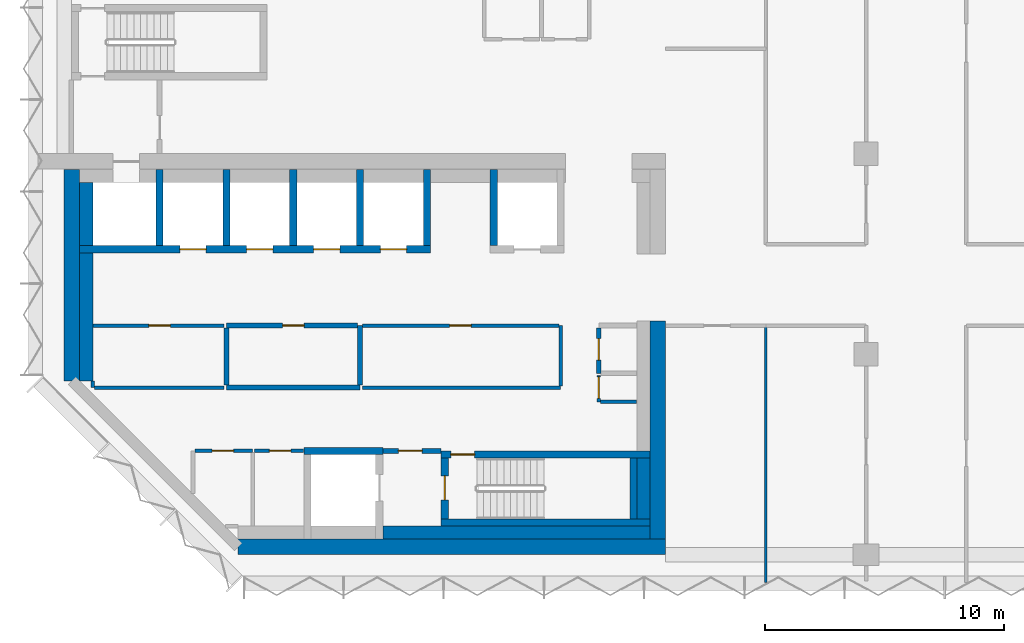
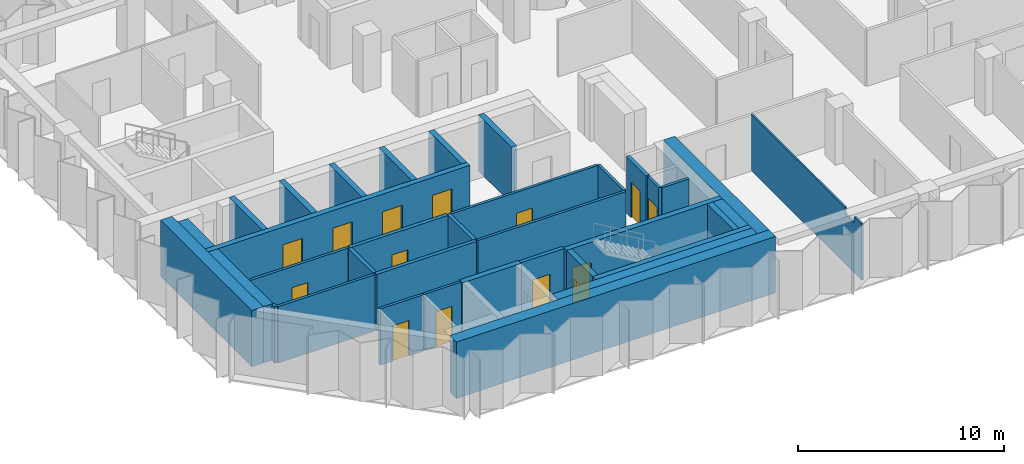
# One storey, part 5 of 10: 36 walls, 14 doors, 14 openings.
"""IFC4 building model written with IfcOpenShell, lengths in metres."""

from ifc_helpers import new_model, si_unit, direction, frame, frame_2d, origin, place, context, subcontext, project, spatial, polyline, rectangle, outline, extrude, material, layer, layer_set, type_object, element, fill, save


model = new_model("IFC4")

# Units and contexts
model_context = context("Model", 3, precision=1e-05, world=origin(), true_north=direction((0.0, 1.0)))
body_context = subcontext(model_context, "Body", "Model", "MODEL_VIEW")
ifc_project = project(units=[si_unit("LENGTHUNIT", "METRE"), si_unit("AREAUNIT", "SQUARE_METRE"), si_unit("VOLUMEUNIT", "CUBIC_METRE"), si_unit("PLANEANGLEUNIT", "RADIAN"), si_unit("MASSUNIT", "GRAM", prefix="KILO")], contexts=[model_context])

# Site, building, storey
site_placement = place(None, origin())
site = spatial("IfcSite", under=ifc_project, at=site_placement, CompositionType="ELEMENT")
building_placement = place(site_placement, origin())
building = spatial("IfcBuilding", under=site, at=building_placement, Name="Brevane Broadcast Tower", CompositionType="ELEMENT")
storey_placement = place(building_placement, frame((0.0, 0.0, 166.800048828125)))
storey = spatial("IfcBuildingStorey", under=building, at=storey_placement, Name="L41", CompositionType="ELEMENT", Elevation=166.800048828125)

# Walls
ifc_material_1 = material(Name="Concrete C32/40", Category="concrete")
ifc_layer_1 = layer(ifc_material_1, 0.550048828125)
ifc_layer_set_1 = layer_set([ifc_layer_1], Name="Core chase wall 550 mm")
wall_type_1 = type_object("IfcWallType", Name="Core chase wall 550 mm", PredefinedType="PARTITIONING", material=ifc_layer_set_1)
wall_1_placement = place(storey_placement, frame((0.925048828125, 7.286376953125, 0.0), z_axis=(0.0, 0.0, 1.0), x_axis=(0.0, 1.0, 0.0)))
element("IfcWall", 1, at=wall_1_placement, inside=storey, type_object=wall_type_1, Name="L41 chase wall LW-1", PredefinedType="PARTITIONING", context=body_context, shape_type="SweptSolid", body=[
    extrude(rectangle(XDim=5.363525390625, YDim=0.550048828125, at=frame_2d((2.681640625, 0.0))), origin(), (0.0, 0.0, 1.0), 3.349853515625),
])
wall_2_placement = place(storey_placement, frame((0.925048828125, 12.949951171875, 0.0), z_axis=(0.0, 0.0, 1.0), x_axis=(0.0, 1.0, 0.0)))
element("IfcWall", 2, at=wall_2_placement, inside=storey, type_object=wall_type_1, Name="L41 chase wall LW-2", PredefinedType="PARTITIONING", context=body_context, shape_type="SweptSolid", body=[
    extrude(rectangle(XDim=2.650146484375, YDim=0.550048828125, at=frame_2d((1.3251953125, 0.0))), origin(), (0.0, 0.0, 1.0), 3.349853515625),
])
wall_3_placement = place(storey_placement, frame((13.35009765625, 0.925048828125, 0.0), z_axis=(0.0, 0.0, 1.0), x_axis=(1.0, 0.0, 0.0)))
element("IfcWall", 3, at=wall_3_placement, inside=storey, type_object=wall_type_1, Name="L41 chase wall LS-2-2", PredefinedType="PARTITIONING", context=body_context, shape_type="SweptSolid", body=[
    extrude(rectangle(XDim=11.199951171875, YDim=0.550048828125, at=frame_2d((5.60009765625, 0.0))), origin(), (0.0, 0.0, 1.0), 3.349853515625),
])
wall_4_placement = place(storey_placement, frame((24.27490234375, 1.5, 0.0), z_axis=(0.0, 0.0, 1.0), x_axis=(0.0, 1.0, 0.0)))
element("IfcWall", 4, at=wall_4_placement, inside=storey, type_object=wall_type_1, Name="L41 chase wall LE1-2-1", PredefinedType="PARTITIONING", context=body_context, shape_type="SweptSolid", body=[
    extrude(rectangle(XDim=2.550048828125, YDim=0.550048828125, at=frame_2d((1.27490234375, 0.0))), origin(), (0.0, 0.0, 1.0), 3.349853515625),
])

# Wall, opening, door
ifc_material_2 = material(Name="Gypsum board on steel studs", Category="steel")
ifc_layer_2 = layer(ifc_material_2, 0.14990234375)
ifc_layer_set_2 = layer_set([ifc_layer_2], Name="Core fire partition 150 mm")
wall_type_2 = type_object("IfcWallType", Name="Core fire partition 150 mm", PredefinedType="PARTITIONING", material=ifc_layer_set_2)
wall_5_placement = place(storey_placement, frame((5.47509765625, 4.35009765625, 0.0), z_axis=(0.0, 0.0, 1.0), x_axis=(1.0, 0.0, 0.0)))
wall_5 = element("IfcWall", 5, at=wall_5_placement, inside=storey, type_object=wall_type_2, Name="L41 partition wall P12", PredefinedType="PARTITIONING", context=body_context, shape_type="SweptSolid", body=[
    extrude(rectangle(XDim=2.4248046875, YDim=0.14990234375, at=frame_2d((1.21240234375, 0.0))), origin(), (0.0, 0.0, 1.0), 3.349853515625),
])
opening_1_placement = place(wall_5_placement, frame((0.72509765625, 0.0, 0.0)))
opening_1 = element("IfcOpeningElement", 6, at=opening_1_placement, cuts=wall_5, Name="Opening L41-K14", PredefinedType="OPENING", context=body_context, shape_type="SweptSolid", body=[
    extrude(rectangle(XDim=0.89990234375, YDim=2.10009765625, at=frame_2d((0.449951171875, 1.050048828125))), frame((0.0, 0.0849609375, 0.0), z_axis=(0.0, -1.0, 0.0), x_axis=(1.0, 0.0, 0.0)), (0.0, 0.0, 1.0), 0.169921875),
])
ifc_material_3 = material(Name="Timber", Category="wood")
door_type_1 = type_object("IfcDoorType", Name="Toilet door 900 x 2100", OperationType="SINGLE_SWING_LEFT", PredefinedType="DOOR", material=ifc_material_3)
door_1_placement = place(opening_1_placement, origin())
door_1 = element("IfcDoor", 7, at=door_1_placement, inside=storey, type_object=door_type_1, Name="Door L41-K14", OperationType="SINGLE_SWING_RIGHT", OverallHeight=2.10009765625, OverallWidth=0.89990234375, PredefinedType="DOOR", context=body_context, shape_type="SweptSolid", body=[
    extrude(rectangle(XDim=0.89990234375, YDim=2.10009765625, at=frame_2d((0.449951171875, 1.050048828125))), frame((0.0, 0.02490234375, 0.0), z_axis=(0.0, -1.0, 0.0), x_axis=(1.0, 0.0, 0.0)), (0.0, 0.0, 1.0), 0.050048828125),
])
fill(opening_1, door_1)

wall_6_placement = place(storey_placement, frame((6.699951171875, 9.60009765625, 0.0), z_axis=(0.0, 0.0, 1.0), x_axis=(-1.0, 0.0, 0.0)))
wall_6 = element("IfcWall", 8, at=wall_6_placement, inside=storey, type_object=wall_type_2, Name="L41 partition wall P15", PredefinedType="PARTITIONING", context=body_context, shape_type="SweptSolid", body=[
    extrude(rectangle(XDim=5.488037109375, YDim=0.14990234375, at=frame_2d((2.744140625, 0.0))), origin(), (0.0, 0.0, 1.0), 3.349853515625),
])
opening_2_placement = place(wall_6_placement, frame((2.25, 0.0, 0.0)))
opening_2 = element("IfcOpeningElement", 9, at=opening_2_placement, cuts=wall_6, Name="Opening L41-K19", PredefinedType="OPENING", context=body_context, shape_type="SweptSolid", body=[
    extrude(rectangle(XDim=0.89990234375, YDim=2.10009765625, at=frame_2d((0.449951171875, 1.050048828125))), frame((0.0, 0.0849609375, 0.0), z_axis=(0.0, -1.0, 0.0), x_axis=(1.0, 0.0, 0.0)), (0.0, 0.0, 1.0), 0.169921875),
])
ifc_material_4 = material(Name="Steel", Category="steel")
door_type_2 = type_object("IfcDoorType", Name="Service room door 900 x 2100", OperationType="SINGLE_SWING_LEFT", PredefinedType="DOOR", material=ifc_material_4)
door_2_placement = place(opening_2_placement, origin())
door_2 = element("IfcDoor", 10, at=door_2_placement, inside=storey, type_object=door_type_2, Name="Door L41-K19", OperationType="SINGLE_SWING_LEFT", OverallHeight=2.10009765625, OverallWidth=0.89990234375, PredefinedType="DOOR", context=body_context, shape_type="SweptSolid", body=[
    extrude(rectangle(XDim=0.89990234375, YDim=2.10009765625, at=frame_2d((0.449951171875, 1.050048828125))), frame((0.0, 0.02490234375, 0.0), z_axis=(0.0, -1.0, 0.0), x_axis=(1.0, 0.0, 0.0)), (0.0, 0.0, 1.0), 0.050048828125),
])
fill(opening_2, door_2)

# Walls
wall_7_placement = place(storey_placement, frame((1.199951171875, 7.2744140625, 0.0), z_axis=(0.0, 0.0, 1.0), x_axis=(0.0, -1.0, 0.0)))
element("IfcWall", 11, at=wall_7_placement, inside=storey, type_object=wall_type_2, Name="L41 partition wall P16", PredefinedType="PARTITIONING", context=body_context, shape_type="SweptSolid", body=[
    extrude(rectangle(XDim=0.2744140625, YDim=0.14990234375, at=frame_2d((0.13720703125, 0.0))), origin(), (0.0, 0.0, 1.0), 3.349853515625),
])
wall_8_placement = place(storey_placement, frame((1.27490234375, 7.0, 0.0), z_axis=(0.0, 0.0, 1.0), x_axis=(1.0, 0.0, 0.0)))
element("IfcWall", 12, at=wall_8_placement, inside=storey, type_object=wall_type_2, Name="L41 partition wall P17", PredefinedType="PARTITIONING", context=body_context, shape_type="SweptSolid", body=[
    extrude(rectangle(XDim=5.425048828125, YDim=0.14990234375, at=frame_2d((2.71240234375, 0.0))), origin(), (0.0, 0.0, 1.0), 3.349853515625),
])

# Wall, opening, door
wall_9_placement = place(storey_placement, frame((10.0380859375, 4.35009765625, 0.0), z_axis=(0.0, 0.0, 1.0), x_axis=(-1.0, 0.0, 0.0)))
wall_9 = element("IfcWall", 13, at=wall_9_placement, inside=storey, type_object=wall_type_2, Name="L41 partition wall P18", PredefinedType="PARTITIONING", context=body_context, shape_type="SweptSolid", body=[
    extrude(rectangle(XDim=2.06298828125, YDim=0.14990234375, at=frame_2d((1.031494140625, 0.0))), origin(), (0.0, 0.0, 1.0), 3.349853515625),
])
opening_3_placement = place(wall_9_placement, frame((0.5380859375, 0.0, 0.0)))
opening_3 = element("IfcOpeningElement", 14, at=opening_3_placement, cuts=wall_9, Name="Opening L41-K15", PredefinedType="OPENING", context=body_context, shape_type="SweptSolid", body=[
    extrude(rectangle(XDim=0.89990234375, YDim=2.10009765625, at=frame_2d((0.449951171875, 1.050048828125))), frame((0.0, 0.0849609375, 0.0), z_axis=(0.0, -1.0, 0.0), x_axis=(1.0, 0.0, 0.0)), (0.0, 0.0, 1.0), 0.169921875),
])
door_3_placement = place(opening_3_placement, origin())
door_3 = element("IfcDoor", 15, at=door_3_placement, inside=storey, type_object=door_type_1, Name="Door L41-K15", OperationType="SINGLE_SWING_LEFT", OverallHeight=2.10009765625, OverallWidth=0.89990234375, PredefinedType="DOOR", context=body_context, shape_type="SweptSolid", body=[
    extrude(rectangle(XDim=0.89990234375, YDim=2.10009765625, at=frame_2d((0.449951171875, 1.050048828125))), frame((0.0, 0.02490234375, 0.0), z_axis=(0.0, -1.0, 0.0), x_axis=(1.0, 0.0, 0.0)), (0.0, 0.0, 1.0), 0.050048828125),
])
fill(opening_3, door_3)

# Walls
wall_10_placement = place(storey_placement, frame((12.5, 7.0, 0.0), z_axis=(0.0, 0.0, 1.0), x_axis=(1.0, 0.0, 0.0)))
element("IfcWall", 16, at=wall_10_placement, inside=storey, type_object=wall_type_2, Name="L41 partition wall P19", PredefinedType="PARTITIONING", context=body_context, shape_type="SweptSolid", body=[
    extrude(rectangle(XDim=8.300048828125, YDim=0.14990234375, at=frame_2d((4.14990234375, 0.0))), origin(), (0.0, 0.0, 1.0), 3.349853515625),
])
wall_11_placement = place(storey_placement, frame((20.800048828125, 7.074951171875, 0.0), z_axis=(0.0, 0.0, 1.0), x_axis=(0.0, 1.0, 0.0)))
element("IfcWall", 17, at=wall_11_placement, inside=storey, type_object=wall_type_2, Name="L41 partition wall P20", PredefinedType="PARTITIONING", context=body_context, shape_type="SweptSolid", body=[
    extrude(rectangle(XDim=2.525146484375, YDim=0.14990234375, at=frame_2d((1.2626953125, 0.0))), origin(), (0.0, 0.0, 1.0), 3.349853515625),
])

# Wall, opening, door
wall_12_placement = place(storey_placement, frame((20.72509765625, 9.60009765625, 0.0), z_axis=(0.0, 0.0, 1.0), x_axis=(-1.0, 0.0, 0.0)))
wall_12 = element("IfcWall", 18, at=wall_12_placement, inside=storey, type_object=wall_type_2, Name="L41 partition wall P21", PredefinedType="PARTITIONING", context=body_context, shape_type="SweptSolid", body=[
    extrude(rectangle(XDim=8.22509765625, YDim=0.14990234375, at=frame_2d((4.112548828125, 0.0))), origin(), (0.0, 0.0, 1.0), 3.349853515625),
])
opening_4_placement = place(wall_12_placement, frame((3.675048828125, 0.0, 0.0)))
opening_4 = element("IfcOpeningElement", 19, at=opening_4_placement, cuts=wall_12, Name="Opening L41-K21", PredefinedType="OPENING", context=body_context, shape_type="SweptSolid", body=[
    extrude(rectangle(XDim=0.89990234375, YDim=2.10009765625, at=frame_2d((0.449951171875, 1.050048828125))), frame((0.0, 0.0849609375, 0.0), z_axis=(0.0, -1.0, 0.0), x_axis=(1.0, 0.0, 0.0)), (0.0, 0.0, 1.0), 0.169921875),
])
door_4_placement = place(opening_4_placement, origin())
door_4 = element("IfcDoor", 20, at=door_4_placement, inside=storey, type_object=door_type_2, Name="Door L41-K21", OperationType="SINGLE_SWING_LEFT", OverallHeight=2.10009765625, OverallWidth=0.89990234375, PredefinedType="DOOR", context=body_context, shape_type="SweptSolid", body=[
    extrude(rectangle(XDim=0.89990234375, YDim=2.10009765625, at=frame_2d((0.449951171875, 1.050048828125))), frame((0.0, 0.02490234375, 0.0), z_axis=(0.0, -1.0, 0.0), x_axis=(1.0, 0.0, 0.0)), (0.0, 0.0, 1.0), 0.050048828125),
])
fill(opening_4, door_4)

wall_13_placement = place(storey_placement, frame((22.39990234375, 7.5, 0.0), z_axis=(0.0, 0.0, 1.0), x_axis=(0.0, -1.0, 0.0)))
wall_13 = element("IfcWall", 21, at=wall_13_placement, inside=storey, type_object=wall_type_2, Name="L41 partition wall P29", PredefinedType="PARTITIONING", context=body_context, shape_type="SweptSolid", body=[
    extrude(rectangle(XDim=1.10009765625, YDim=0.14990234375, at=frame_2d((0.550048828125, 0.0))), origin(), (0.0, 0.0, 1.0), 3.349853515625),
])
opening_5_placement = place(wall_13_placement, frame((0.050048828125, 0.0, 0.0)))
opening_5 = element("IfcOpeningElement", 22, at=opening_5_placement, cuts=wall_13, Name="Opening L41-K17", PredefinedType="OPENING", context=body_context, shape_type="SweptSolid", body=[
    extrude(rectangle(XDim=0.89990234375, YDim=2.10009765625, at=frame_2d((0.449951171875, 1.050048828125))), frame((0.0, 0.0849609375, 0.0), z_axis=(0.0, -1.0, 0.0), x_axis=(1.0, 0.0, 0.0)), (0.0, 0.0, 1.0), 0.169921875),
])
door_5_placement = place(opening_5_placement, origin())
door_5 = element("IfcDoor", 23, at=door_5_placement, inside=storey, type_object=door_type_2, Name="Door L41-K17", OperationType="SINGLE_SWING_LEFT", OverallHeight=2.10009765625, OverallWidth=0.89990234375, PredefinedType="DOOR", context=body_context, shape_type="SweptSolid", body=[
    extrude(rectangle(XDim=0.89990234375, YDim=2.10009765625, at=frame_2d((0.449951171875, 1.050048828125))), frame((0.0, 0.02490234375, 0.0), z_axis=(0.0, -1.0, 0.0), x_axis=(1.0, 0.0, 0.0)), (0.0, 0.0, 1.0), 0.050048828125),
])
fill(opening_5, door_5)

# Wall
wall_14_placement = place(storey_placement, frame((22.47509765625, 6.39990234375, 0.0), z_axis=(0.0, 0.0, 1.0), x_axis=(1.0, 0.0, 0.0)))
element("IfcWall", 24, at=wall_14_placement, inside=storey, type_object=wall_type_2, Name="L41 partition wall P30", PredefinedType="PARTITIONING", context=body_context, shape_type="SweptSolid", body=[
    extrude(rectangle(XDim=1.512939453125, YDim=0.14990234375, at=frame_2d((0.75634765625, 0.0))), origin(), (0.0, 0.0, 1.0), 3.349853515625),
])

# Wall, opening, door
ifc_layer_3 = layer(ifc_material_2, 0.199951171875)
ifc_layer_set_3 = layer_set([ifc_layer_3], Name="Core fire partition 200 mm")
wall_type_3 = type_object("IfcWallType", Name="Core fire partition 200 mm", PredefinedType="PARTITIONING", material=ifc_layer_set_3)
wall_15_placement = place(storey_placement, frame((13.362060546875, 4.35009765625, 0.0), z_axis=(0.0, 0.0, 1.0), x_axis=(1.0, 0.0, 0.0)))
wall_15 = element("IfcWall", 25, at=wall_15_placement, inside=storey, type_object=wall_type_3, Name="L41 partition wall P03", PredefinedType="PARTITIONING", context=body_context, shape_type="SweptSolid", body=[
    extrude(rectangle(XDim=2.426025390625, YDim=0.199951171875, at=frame_2d((1.212890625, 0.0))), origin(), (0.0, 0.0, 1.0), 3.349853515625),
])
opening_6_placement = place(wall_15_placement, frame((0.637939453125, 0.0, 0.0)))
opening_6 = element("IfcOpeningElement", 26, at=opening_6_placement, cuts=wall_15, Name="Opening L41-K16", PredefinedType="OPENING", context=body_context, shape_type="SweptSolid", body=[
    extrude(rectangle(XDim=1.0, YDim=2.10009765625, at=frame_2d((0.5, 1.050048828125))), frame((0.0, 0.10986328125, 0.0), z_axis=(0.0, -1.0, 0.0), x_axis=(1.0, 0.0, 0.0)), (0.0, 0.0, 1.0), 0.219970703125),
])
door_type_3 = type_object("IfcDoorType", Name="Stair door 1000 x 2100", OperationType="SINGLE_SWING_LEFT", PredefinedType="DOOR", material=ifc_material_4)
door_6_placement = place(opening_6_placement, origin())
door_6 = element("IfcDoor", 27, at=door_6_placement, inside=storey, type_object=door_type_3, Name="Door L41-K16", OperationType="SINGLE_SWING_RIGHT", OverallHeight=2.10009765625, OverallWidth=1.0, PredefinedType="DOOR", context=body_context, shape_type="SweptSolid", body=[
    extrude(rectangle(XDim=1.0, YDim=2.10009765625, at=frame_2d((0.5, 1.050048828125))), frame((0.0, 0.02490234375, 0.0), z_axis=(0.0, -1.0, 0.0), x_axis=(1.0, 0.0, 0.0)), (0.0, 0.0, 1.0), 0.050048828125),
])
fill(opening_6, door_6)

wall_16_placement = place(storey_placement, frame((22.39990234375, 9.5, 0.0), z_axis=(0.0, 0.0, 1.0), x_axis=(0.0, -1.0, 0.0)))
wall_16 = element("IfcWall", 28, at=wall_16_placement, inside=storey, type_object=wall_type_3, Name="L41 partition wall P05", PredefinedType="PARTITIONING", context=body_context, shape_type="SweptSolid", body=[
    extrude(rectangle(XDim=1.89990234375, YDim=0.199951171875, at=frame_2d((0.949951171875, 0.0))), origin(), (0.0, 0.0, 1.0), 3.349853515625),
])
opening_7_placement = place(wall_16_placement, frame((0.449951171875, 0.0, 0.0)))
opening_7 = element("IfcOpeningElement", 29, at=opening_7_placement, cuts=wall_16, Name="Opening L41-K18", PredefinedType="OPENING", context=body_context, shape_type="SweptSolid", body=[
    extrude(rectangle(XDim=0.89990234375, YDim=2.10009765625, at=frame_2d((0.449951171875, 1.050048828125))), frame((0.0, 0.10986328125, 0.0), z_axis=(0.0, -1.0, 0.0), x_axis=(1.0, 0.0, 0.0)), (0.0, 0.0, 1.0), 0.219970703125),
])
door_7_placement = place(opening_7_placement, origin())
door_7 = element("IfcDoor", 30, at=door_7_placement, inside=storey, type_object=door_type_2, Name="Door L41-K18", OperationType="SINGLE_SWING_RIGHT", OverallHeight=2.10009765625, OverallWidth=0.89990234375, PredefinedType="DOOR", context=body_context, shape_type="SweptSolid", body=[
    extrude(rectangle(XDim=0.89990234375, YDim=2.10009765625, at=frame_2d((0.449951171875, 1.050048828125))), frame((0.0, 0.02490234375, 0.0), z_axis=(0.0, -1.0, 0.0), x_axis=(1.0, 0.0, 0.0)), (0.0, 0.0, 1.0), 0.050048828125),
])
fill(opening_7, door_7)

# Walls
wall_17_placement = place(storey_placement, frame((6.800048828125, 7.0, 0.0), z_axis=(0.0, 0.0, 1.0), x_axis=(1.0, 0.0, 0.0)))
element("IfcWall", 31, at=wall_17_placement, inside=storey, type_object=wall_type_3, Name="L41 partition wall P07", PredefinedType="PARTITIONING", context=body_context, shape_type="SweptSolid", body=[
    extrude(rectangle(XDim=5.599853515625, YDim=0.199951171875, at=frame_2d((2.7998046875, 0.0))), origin(), (0.0, 0.0, 1.0), 3.349853515625),
])
wall_18_placement = place(storey_placement, frame((12.39990234375, 7.10009765625, 0.0), z_axis=(0.0, 0.0, 1.0), x_axis=(0.0, 1.0, 0.0)))
element("IfcWall", 32, at=wall_18_placement, inside=storey, type_object=wall_type_3, Name="L41 partition wall P08", PredefinedType="PARTITIONING", context=body_context, shape_type="SweptSolid", body=[
    extrude(rectangle(XDim=2.5, YDim=0.199951171875, at=frame_2d((1.25, 0.0))), origin(), (0.0, 0.0, 1.0), 3.349853515625),
])

# Wall, opening, door
wall_19_placement = place(storey_placement, frame((12.300048828125, 9.60009765625, 0.0), z_axis=(0.0, 0.0, 1.0), x_axis=(-1.0, 0.0, 0.0)))
wall_19 = element("IfcWall", 33, at=wall_19_placement, inside=storey, type_object=wall_type_3, Name="L41 partition wall P09", PredefinedType="PARTITIONING", context=body_context, shape_type="SweptSolid", body=[
    extrude(rectangle(XDim=5.5, YDim=0.199951171875, at=frame_2d((2.75, 0.0))), origin(), (0.0, 0.0, 1.0), 3.349853515625),
])
opening_8_placement = place(wall_19_placement, frame((2.25, 0.0, 0.0)))
opening_8 = element("IfcOpeningElement", 34, at=opening_8_placement, cuts=wall_19, Name="Opening L41-K20", PredefinedType="OPENING", context=body_context, shape_type="SweptSolid", body=[
    extrude(rectangle(XDim=0.89990234375, YDim=2.10009765625, at=frame_2d((0.449951171875, 1.050048828125))), frame((0.0, 0.10986328125, 0.0), z_axis=(0.0, -1.0, 0.0), x_axis=(1.0, 0.0, 0.0)), (0.0, 0.0, 1.0), 0.219970703125),
])
door_8_placement = place(opening_8_placement, origin())
door_8 = element("IfcDoor", 35, at=door_8_placement, inside=storey, type_object=door_type_2, Name="Door L41-K20", OperationType="SINGLE_SWING_RIGHT", OverallHeight=2.10009765625, OverallWidth=0.89990234375, PredefinedType="DOOR", context=body_context, shape_type="SweptSolid", body=[
    extrude(rectangle(XDim=0.89990234375, YDim=2.10009765625, at=frame_2d((0.449951171875, 1.050048828125))), frame((0.0, 0.02490234375, 0.0), z_axis=(0.0, -1.0, 0.0), x_axis=(1.0, 0.0, 0.0)), (0.0, 0.0, 1.0), 0.050048828125),
])
fill(opening_8, door_8)

# Wall
wall_20_placement = place(storey_placement, frame((6.800048828125, 9.5, 0.0), z_axis=(0.0, 0.0, 1.0), x_axis=(0.0, -1.0, 0.0)))
element("IfcWall", 36, at=wall_20_placement, inside=storey, type_object=wall_type_3, Name="L41 partition wall P10", PredefinedType="PARTITIONING", context=body_context, shape_type="SweptSolid", body=[
    extrude(rectangle(XDim=2.39990234375, YDim=0.199951171875, at=frame_2d((1.199951171875, 0.0))), origin(), (0.0, 0.0, 1.0), 3.349853515625),
])

# Wall, openings, doors
ifc_material_5 = material(Name="Concrete C60/75", Category="concrete")
ifc_layer_4 = layer(ifc_material_5, 0.300048828125)
ifc_layer_set_4 = layer_set([ifc_layer_4], Name="Core wall 300 mm C60/75")
wall_type_4 = type_object("IfcWallType", Name="Core wall 300 mm C60/75", PredefinedType="SHEAR", material=ifc_layer_set_4)
wall_21_placement = place(storey_placement, frame((0.64990234375, 12.800048828125, 0.0), z_axis=(0.0, 0.0, 1.0), x_axis=(1.0, 0.0, 0.0)))
wall_21 = element("IfcWall", 37, at=wall_21_placement, inside=storey, type_object=wall_type_4, Name="L41 shaft wall SH-N012-front", PredefinedType="SHEAR", context=body_context, shape_type="SweptSolid", body=[
    extrude(rectangle(XDim=14.7001953125, YDim=0.300048828125, at=frame_2d((7.35009765625, 0.0))), origin(), (0.0, 0.0, 1.0), 3.349853515625),
])
opening_9_placement = place(wall_21_placement, frame((4.199951171875, 0.0, 0.0)))
opening_9 = element("IfcOpeningElement", 38, at=opening_9_placement, cuts=wall_21, Name="Opening LD", PredefinedType="OPENING", context=body_context, shape_type="SweptSolid", body=[
    extrude(rectangle(XDim=1.10009765625, YDim=2.300048828125, at=frame_2d((0.550048828125, 1.14990234375))), frame((0.0, 0.159912109375, 0.0), z_axis=(0.0, -1.0, 0.0), x_axis=(1.0, 0.0, 0.0)), (0.0, 0.0, 1.0), 0.320068359375),
])
opening_10_placement = place(wall_21_placement, frame((7.0, 0.0, 0.0)))
opening_10 = element("IfcOpeningElement", 39, at=opening_10_placement, cuts=wall_21, Name="Opening LD", PredefinedType="OPENING", context=body_context, shape_type="SweptSolid", body=[
    extrude(rectangle(XDim=1.10009765625, YDim=2.300048828125, at=frame_2d((0.550048828125, 1.14990234375))), frame((0.0, 0.159912109375, 0.0), z_axis=(0.0, -1.0, 0.0), x_axis=(1.0, 0.0, 0.0)), (0.0, 0.0, 1.0), 0.320068359375),
])
opening_11_placement = place(wall_21_placement, frame((9.800048828125, 0.0, 0.0)))
opening_11 = element("IfcOpeningElement", 40, at=opening_11_placement, cuts=wall_21, Name="Opening LD", PredefinedType="OPENING", context=body_context, shape_type="SweptSolid", body=[
    extrude(rectangle(XDim=1.10009765625, YDim=2.300048828125, at=frame_2d((0.550048828125, 1.14990234375))), frame((0.0, 0.159912109375, 0.0), z_axis=(0.0, -1.0, 0.0), x_axis=(1.0, 0.0, 0.0)), (0.0, 0.0, 1.0), 0.320068359375),
])
opening_12_placement = place(wall_21_placement, frame((12.60009765625, 0.0, 0.0)))
opening_12 = element("IfcOpeningElement", 41, at=opening_12_placement, cuts=wall_21, Name="Opening LD", PredefinedType="OPENING", context=body_context, shape_type="SweptSolid", body=[
    extrude(rectangle(XDim=1.10009765625, YDim=2.300048828125, at=frame_2d((0.550048828125, 1.14990234375))), frame((0.0, 0.159912109375, 0.0), z_axis=(0.0, -1.0, 0.0), x_axis=(1.0, 0.0, 0.0)), (0.0, 0.0, 1.0), 0.320068359375),
])
ifc_material_6 = material(Name="Stainless steel", Category="steel")
door_type_4 = type_object("IfcDoorType", Name="Lift landing door", OperationType="SLIDING_TO_LEFT", PredefinedType="DOOR", material=ifc_material_6)
door_9_placement = place(opening_9_placement, origin())
door_9 = element("IfcDoor", 42, at=door_9_placement, inside=storey, type_object=door_type_4, Name="Landing door HR1 L41", OperationType="SLIDING_TO_LEFT", OverallHeight=2.300048828125, OverallWidth=1.10009765625, PredefinedType="DOOR", context=body_context, shape_type="SweptSolid", body=[
    extrude(rectangle(XDim=1.10009765625, YDim=2.300048828125, at=frame_2d((0.550048828125, 1.14990234375))), frame((0.0, 0.02490234375, 0.0), z_axis=(0.0, -1.0, 0.0), x_axis=(1.0, 0.0, 0.0)), (0.0, 0.0, 1.0), 0.050048828125),
])
fill(opening_9, door_9)
door_10_placement = place(opening_10_placement, origin())
door_10 = element("IfcDoor", 43, at=door_10_placement, inside=storey, type_object=door_type_4, Name="Landing door HR2 L41", OperationType="SLIDING_TO_LEFT", OverallHeight=2.300048828125, OverallWidth=1.10009765625, PredefinedType="DOOR", context=body_context, shape_type="SweptSolid", body=[
    extrude(rectangle(XDim=1.10009765625, YDim=2.300048828125, at=frame_2d((0.550048828125, 1.14990234375))), frame((0.0, 0.02490234375, 0.0), z_axis=(0.0, -1.0, 0.0), x_axis=(1.0, 0.0, 0.0)), (0.0, 0.0, 1.0), 0.050048828125),
])
fill(opening_10, door_10)
door_11_placement = place(opening_11_placement, origin())
door_11 = element("IfcDoor", 44, at=door_11_placement, inside=storey, type_object=door_type_4, Name="Landing door HR3 L41", OperationType="SLIDING_TO_LEFT", OverallHeight=2.300048828125, OverallWidth=1.10009765625, PredefinedType="DOOR", context=body_context, shape_type="SweptSolid", body=[
    extrude(rectangle(XDim=1.10009765625, YDim=2.300048828125, at=frame_2d((0.550048828125, 1.14990234375))), frame((0.0, 0.02490234375, 0.0), z_axis=(0.0, -1.0, 0.0), x_axis=(1.0, 0.0, 0.0)), (0.0, 0.0, 1.0), 0.050048828125),
])
fill(opening_11, door_11)
door_12_placement = place(opening_12_placement, origin())
door_12 = element("IfcDoor", 45, at=door_12_placement, inside=storey, type_object=door_type_4, Name="Landing door HR4 L41", OperationType="SLIDING_TO_LEFT", OverallHeight=2.300048828125, OverallWidth=1.10009765625, PredefinedType="DOOR", context=body_context, shape_type="SweptSolid", body=[
    extrude(rectangle(XDim=1.10009765625, YDim=2.300048828125, at=frame_2d((0.550048828125, 1.14990234375))), frame((0.0, 0.02490234375, 0.0), z_axis=(0.0, -1.0, 0.0), x_axis=(1.0, 0.0, 0.0)), (0.0, 0.0, 1.0), 0.050048828125),
])
fill(opening_12, door_12)

# Walls
for number, where, z_axis, x_axis, name in (
    (46, (4.0, 12.949951171875, 0.0), (0.0, 0.0, 1.0), (0.0, 1.0, 0.0), "L41 shaft wall SH-N-P040"),
    (47, (6.800048828125, 12.949951171875, 0.0), (0.0, 0.0, 1.0), (0.0, 1.0, 0.0), "L41 shaft wall SH-N-P068"),
    (48, (9.60009765625, 12.949951171875, 0.0), (0.0, 0.0, 1.0), (0.0, 1.0, 0.0), "L41 shaft wall SH-N-P096"),
    (49, (12.39990234375, 12.949951171875, 0.0), (0.0, 0.0, 1.0), (0.0, 1.0, 0.0), "L41 shaft wall SH-N-P124"),
    (50, (15.199951171875, 12.949951171875, 0.0), (0.0, 0.0, 1.0), (0.0, 1.0, 0.0), "L41 shaft wall SH-N-P152"),
    (51, (18.0, 12.949951171875, 0.0), (0.0, 0.0, 1.0), (0.0, 1.0, 0.0), "L41 shaft wall SH-N-P180"),
):
    element("IfcWall", number, at=place(storey_placement, frame(where, z_axis=z_axis, x_axis=x_axis)), inside=storey, type_object=wall_type_4, Name=name, PredefinedType="SHEAR", context=body_context, shape_type="SweptSolid", body=[
        extrude(rectangle(XDim=3.199951171875, YDim=0.300048828125, at=frame_2d((1.60009765625, 0.0))), origin(), (0.0, 0.0, 1.0), 3.349853515625),
    ])
wall_22_placement = place(storey_placement, frame((10.050048828125, 4.35009765625, 0.0), z_axis=(0.0, 0.0, 1.0), x_axis=(1.0, 0.0, 0.0)))
element("IfcWall", 52, at=wall_22_placement, inside=storey, type_object=wall_type_4, Name="L41 shaft wall FF2-N", PredefinedType="SHEAR", context=body_context, shape_type="SweptSolid", body=[
    extrude(rectangle(XDim=3.300048828125, YDim=0.300048828125, at=frame_2d((1.64990234375, 0.0))), origin(), (0.0, 0.0, 1.0), 3.349853515625),
])
wall_23_placement = place(storey_placement, frame((15.800048828125, 1.35009765625, 0.0), z_axis=(0.0, 0.0, 1.0), x_axis=(1.0, 0.0, 0.0)))
element("IfcWall", 53, at=wall_23_placement, inside=storey, type_object=wall_type_4, Name="L41 stair wall ST-2-S", PredefinedType="SHEAR", context=body_context, shape_type="SweptSolid", body=[
    extrude(rectangle(XDim=8.75, YDim=0.300048828125, at=frame_2d((4.375, 0.0))), origin(), (0.0, 0.0, 1.0), 3.349853515625),
])

# Wall, opening, door
wall_24_placement = place(storey_placement, frame((15.800048828125, 4.199951171875, 0.0), z_axis=(0.0, 0.0, 1.0), x_axis=(1.0, 0.0, 0.0)))
wall_24 = element("IfcWall", 54, at=wall_24_placement, inside=storey, type_object=wall_type_4, Name="L41 stair wall ST-2-N", PredefinedType="SHEAR", context=body_context, shape_type="SweptSolid", body=[
    extrude(rectangle(XDim=8.75, YDim=0.300048828125, at=frame_2d((4.375, 0.0))), origin(), (0.0, 0.0, 1.0), 3.349853515625),
])
opening_13_placement = place(wall_24_placement, frame((0.39990234375, 0.0, 0.0)))
opening_13 = element("IfcOpeningElement", 55, at=opening_13_placement, cuts=wall_24, Name="Opening L41-K11", PredefinedType="OPENING", context=body_context, shape_type="SweptSolid", body=[
    extrude(rectangle(XDim=1.0, YDim=2.10009765625, at=frame_2d((0.5, 1.050048828125))), frame((0.0, 0.159912109375, 0.0), z_axis=(0.0, -1.0, 0.0), x_axis=(1.0, 0.0, 0.0)), (0.0, 0.0, 1.0), 0.320068359375),
])
door_13_placement = place(opening_13_placement, origin())
door_13 = element("IfcDoor", 56, at=door_13_placement, inside=storey, type_object=door_type_3, Name="Door L41-K11", OperationType="SINGLE_SWING_LEFT", OverallHeight=2.10009765625, OverallWidth=1.0, PredefinedType="DOOR", context=body_context, shape_type="SweptSolid", body=[
    extrude(rectangle(XDim=1.0, YDim=2.10009765625, at=frame_2d((0.5, 1.050048828125))), frame((0.0, 0.02490234375, 0.0), z_axis=(0.0, -1.0, 0.0), x_axis=(1.0, 0.0, 0.0)), (0.0, 0.0, 1.0), 0.050048828125),
])
fill(opening_13, door_13)

wall_25_placement = place(storey_placement, frame((15.949951171875, 1.5, 0.0), z_axis=(0.0, 0.0, 1.0), x_axis=(0.0, 1.0, 0.0)))
wall_25 = element("IfcWall", 57, at=wall_25_placement, inside=storey, type_object=wall_type_4, Name="L41 stair wall ST-2-W", PredefinedType="SHEAR", context=body_context, shape_type="SweptSolid", body=[
    extrude(rectangle(XDim=2.550048828125, YDim=0.300048828125, at=frame_2d((1.27490234375, 0.0))), origin(), (0.0, 0.0, 1.0), 3.349853515625),
])
opening_14_placement = place(wall_25_placement, frame((0.800048828125, 0.0, 0.0)))
opening_14 = element("IfcOpeningElement", 58, at=opening_14_placement, cuts=wall_25, Name="Opening L41-K10", PredefinedType="OPENING", context=body_context, shape_type="SweptSolid", body=[
    extrude(rectangle(XDim=1.0, YDim=2.10009765625, at=frame_2d((0.5, 1.050048828125))), frame((0.0, 0.159912109375, 0.0), z_axis=(0.0, -1.0, 0.0), x_axis=(1.0, 0.0, 0.0)), (0.0, 0.0, 1.0), 0.320068359375),
])
door_14_placement = place(opening_14_placement, origin())
door_14 = element("IfcDoor", 59, at=door_14_placement, inside=storey, type_object=door_type_3, Name="Door L41-K10", OperationType="SINGLE_SWING_RIGHT", OverallHeight=2.10009765625, OverallWidth=1.0, PredefinedType="DOOR", context=body_context, shape_type="SweptSolid", body=[
    extrude(rectangle(XDim=1.0, YDim=2.10009765625, at=frame_2d((0.5, 1.050048828125))), frame((0.0, 0.02490234375, 0.0), z_axis=(0.0, -1.0, 0.0), x_axis=(1.0, 0.0, 0.0)), (0.0, 0.0, 1.0), 0.050048828125),
])
fill(opening_14, door_14)

# Walls
wall_26_placement = place(storey_placement, frame((23.85009765625, 1.5, 0.0), z_axis=(0.0, 0.0, 1.0), x_axis=(0.0, 1.0, 0.0)))
element("IfcWall", 60, at=wall_26_placement, inside=storey, type_object=wall_type_4, Name="L41 stair wall ST-2-E", PredefinedType="SHEAR", context=body_context, shape_type="SweptSolid", body=[
    extrude(rectangle(XDim=2.550048828125, YDim=0.300048828125, at=frame_2d((1.27490234375, 0.0))), origin(), (0.0, 0.0, 1.0), 3.349853515625),
])
ifc_layer_5 = layer(ifc_material_5, 0.64990234375)
ifc_layer_set_5 = layer_set([ifc_layer_5], Name="Core wall 650 mm C60/75")
wall_type_5 = type_object("IfcWallType", Name="Core wall 650 mm C60/75", PredefinedType="SHEAR", material=ifc_layer_set_5)
wall_27_placement = place(storey_placement, frame((7.286376953125, 0.324951171875, 0.0), z_axis=(0.0, 0.0, 1.0), x_axis=(1.0, 0.0, 0.0)))
element("IfcWall", 61, at=wall_27_placement, inside=storey, type_object=wall_type_5, Name="L41 outer wall WS", PredefinedType="SHEAR", context=body_context, shape_type="SweptSolid", body=[
    extrude(rectangle(XDim=17.91357421875, YDim=0.64990234375, at=frame_2d((8.956787109375, 0.0))), origin(), (0.0, 0.0, 1.0), 3.349853515625),
])
wall_28_placement = place(storey_placement, frame((0.324951171875, 7.286376953125, 0.0), z_axis=(0.0, 0.0, 1.0), x_axis=(0.0, 1.0, 0.0)))
element("IfcWall", 62, at=wall_28_placement, inside=storey, type_object=wall_type_5, Name="L41 outer wall WW", PredefinedType="SHEAR", context=body_context, shape_type="SweptSolid", body=[
    extrude(rectangle(XDim=8.863525390625, YDim=0.64990234375, at=frame_2d((4.431640625, 0.0))), origin(), (0.0, 0.0, 1.0), 3.349853515625),
])
wall_29_placement = place(storey_placement, frame((24.875, 0.64990234375, 0.0), z_axis=(0.0, 0.0, 1.0), x_axis=(0.0, 1.0, 0.0)))
element("IfcWall", 63, at=wall_29_placement, inside=storey, type_object=wall_type_5, Name="L41 outer wall WE1", PredefinedType="SHEAR", context=body_context, shape_type="SweptSolid", body=[
    extrude(rectangle(XDim=9.150146484375, YDim=0.64990234375, at=frame_2d((4.5751953125, 0.0))), origin(), (0.0, 0.0, 1.0), 3.349853515625),
])
ifc_material_7 = material(Name="Gypsum board partition")
ifc_layer_6 = layer(ifc_material_7, 0.10009765625)
ifc_layer_set_6 = layer_set([ifc_layer_6], Name="PARTITION 100 STUD")
wall_type_6 = type_object("IfcWallType", Name="PARTITION 100 STUD", PredefinedType="PARTITIONING", material=ifc_layer_set_6)
wall_30_placement = place(storey_placement, frame((29.39990234375, 9.60009765625, 0.0), z_axis=(0.0, 0.0, 1.0), x_axis=(0.0, -1.0, 0.0)))
element("IfcWall", 64, at=wall_30_placement, inside=storey, type_object=wall_type_6, Name="Partition G12-022", PredefinedType="PARTITIONING", context=body_context, shape_type="SweptSolid", body=[
    extrude(outline(polyline([(0.0, 0.0), (10.774169921875, 0.0), (10.77392578125, 3.329833984375), (10.699951171875, 3.329833984375), (10.050048828125, 3.329833984375), (10.048095703125, 2.97998046875), (9.152099609375, 2.97998046875), (9.14990234375, 3.329833984375), (0.0, 3.329833984375), (0.0, 0.0)])), frame((0.0, 0.050048828125, 0.0), z_axis=(0.0, -1.0, 0.0), x_axis=(1.0, 0.0, 0.0)), (0.0, 0.0, 1.0), 0.10009765625),
])

save(model, "model.ifc")
